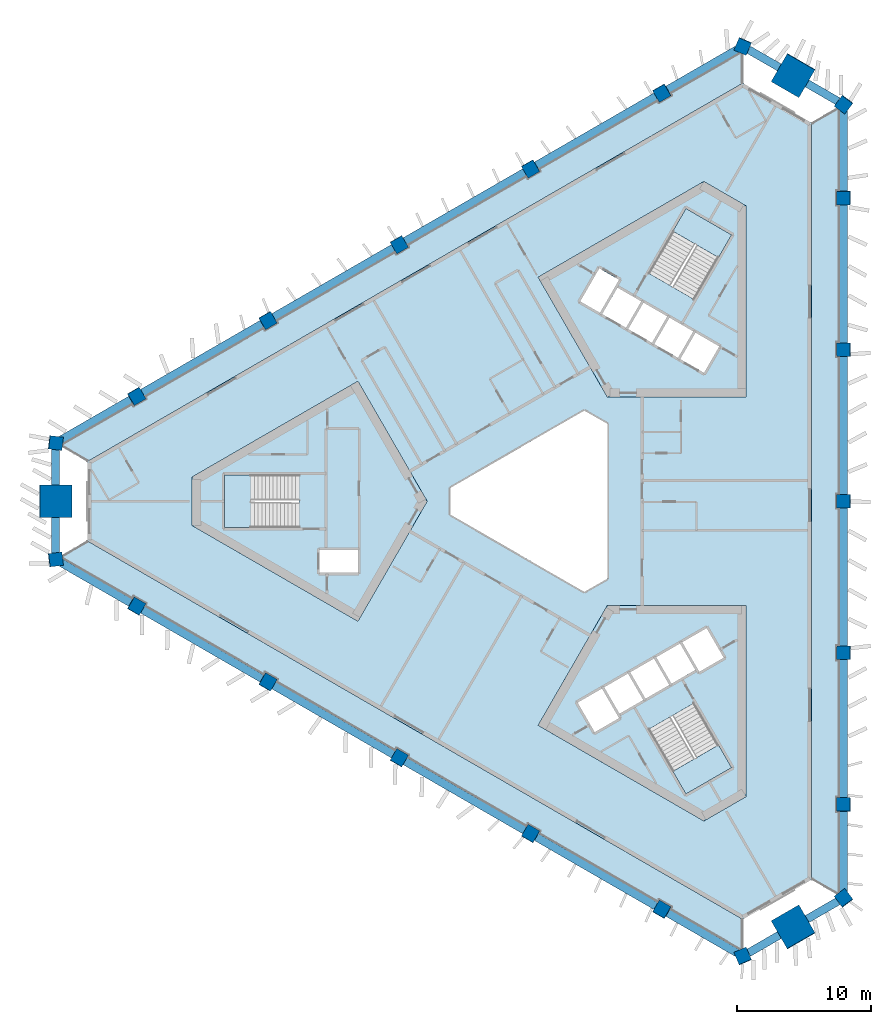
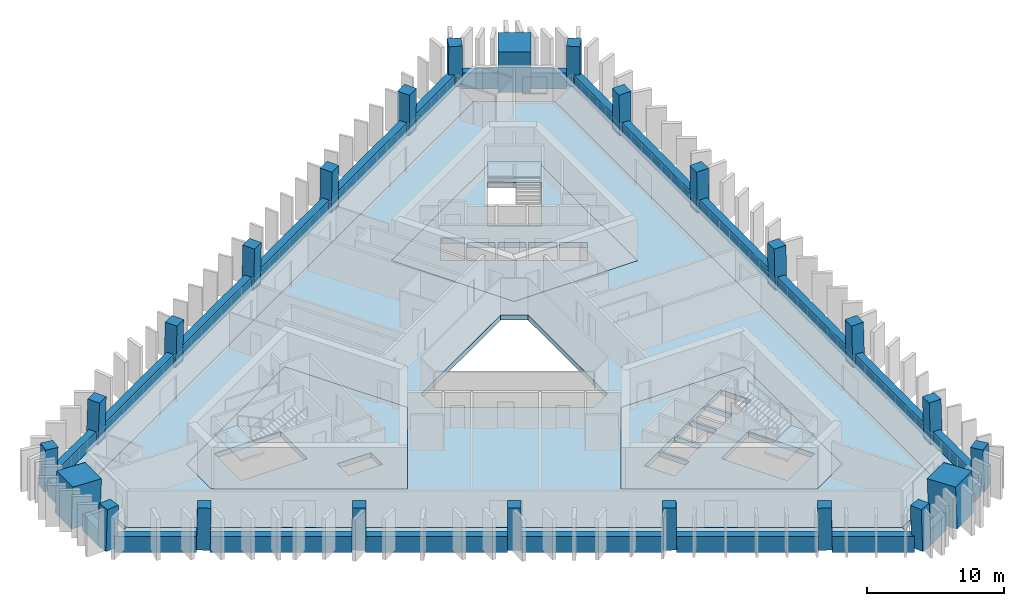
# One storey, part 1 of 10: 24 beams, 24 columns, 10 slabs, 3 elements without a shape of their own.
"""IFC4 building model written with IfcOpenShell, lengths in metres."""

from ifc_helpers import new_model, si_unit, direction, frame, origin, origin_2d, place, context, subcontext, project, spatial, polyline, rectangle, outline, extrude, material, layer, layer_set, material_profile, profile_set, type_object, element, aggregate, save


model = new_model("IFC4")

# Units and contexts
model_context = context("Model", 3, precision=1e-05, world=origin(), true_north=direction((0.0, 1.0)))
body_context = subcontext(model_context, "Body", "Model", "MODEL_VIEW")
ifc_project = project(units=[si_unit("LENGTHUNIT", "METRE"), si_unit("AREAUNIT", "SQUARE_METRE"), si_unit("VOLUMEUNIT", "CUBIC_METRE"), si_unit("PLANEANGLEUNIT", "RADIAN"), si_unit("MASSUNIT", "GRAM", prefix="KILO")], contexts=[model_context])

# Site, building, storey
site_placement = place(None, origin())
site = spatial("IfcSite", under=ifc_project, at=site_placement, CompositionType="ELEMENT")
building_placement = place(site_placement, origin())
building = spatial("IfcBuilding", under=site, at=building_placement, Name="Jabali Bay Hotel Tower and Convention Centre", CompositionType="ELEMENT")
storey_placement = place(building_placement, frame((0.0, 0.0, 121.60009765625)))
storey = spatial("IfcBuildingStorey", under=building, at=storey_placement, Name="L29", CompositionType="ELEMENT", Elevation=121.60009765625)

# Columns
ifc_material_1 = material(Name="Concrete C60", Category="concrete")
ifc_material_profile_1 = material_profile(ifc_material_1, rectangle(XDim=1.0, YDim=1.0, at=origin_2d()), Name="Frame column 1000")
ifc_profile_set_1 = profile_set([ifc_material_profile_1], Name="Concrete C60")
column_type_1 = type_object("IfcColumnType", Name="Frame column 1000", PredefinedType="COLUMN", material=ifc_profile_set_1)
column_1_placement = place(storey_placement, frame((83.581298828125, 110.589599609375, 0.0), z_axis=(-0.008376454378, -0.028163354484, 0.999568237028), x_axis=(0.865847772055, 0.49985224108, 0.021339463807)))
element("IfcColumn", 1, at=column_1_placement, inside=storey, type_object=column_type_1, Name="FC3 F1.1 L29", PredefinedType="COLUMN", context=body_context, shape_type="SweptSolid", body=[
    extrude(rectangle(XDim=1.0, YDim=1.0, at=origin_2d()), origin(), (0.0, 0.0, 1.0), 3.70166015625),
])
column_2_placement = place(storey_placement, frame((73.740478515625, 104.907958984375, 0.0), z_axis=(0.000857578916, -0.022824792675, 0.999739112668), x_axis=(0.866060219769, 0.499825848733, 0.01066848966)))
element("IfcColumn", 2, at=column_2_placement, inside=storey, type_object=column_type_1, Name="FC3 F1.2 L29", PredefinedType="COLUMN", context=body_context, shape_type="SweptSolid", body=[
    extrude(rectangle(XDim=1.0, YDim=1.0, at=origin_2d()), origin(), (0.0, 0.0, 1.0), 3.700927734375),
])
column_3_placement = place(storey_placement, frame((63.899658203125, 99.226318359375, 0.0), z_axis=(0.010093620709, -0.017482414954, 0.999796221231), x_axis=(0.866020200589, 0.50000901209, 8.5616e-08)))
element("IfcColumn", 3, at=column_3_placement, inside=storey, type_object=column_type_1, Name="FC3 F1.3 L29", PredefinedType="COLUMN", context=body_context, shape_type="SweptSolid", body=[
    extrude(rectangle(XDim=1.0, YDim=1.0, at=origin_2d()), origin(), (0.0, 0.0, 1.0), 3.70068359375),
])
column_4_placement = place(storey_placement, frame((54.058837890625, 93.544677734375, 0.0), z_axis=(0.019328516974, -0.012138044789, 0.999739504221), x_axis=(-0.500208848309, 0.865669585777, 0.020181088508)))
element("IfcColumn", 4, at=column_4_placement, inside=storey, type_object=column_type_1, Name="FC3 F1.4 L29", PredefinedType="COLUMN", context=body_context, shape_type="SweptSolid", body=[
    extrude(rectangle(XDim=1.0, YDim=1.0, at=origin_2d()), origin(), (0.0, 0.0, 1.0), 3.700927734375),
])
for number, where, z_axis, x_axis, name in (
    (5, (44.218017578125, 87.86328125, 0.0), (0.028559101991, -0.006859460986, 0.999568569678), (-0.498515218099, 0.866645785643, 0.020190580742), "FC3 F1.5 L29"),
    (6, (44.218017578125, 72.13671875, 0.0), (0.028559101991, 0.006859460986, 0.999568569678), (-0.866410384874, 0.498876768373, 0.021331079692), "FC3 F2.1 L29"),
):
    element("IfcColumn", number, at=place(storey_placement, frame(where, z_axis=z_axis, x_axis=x_axis)), inside=storey, type_object=column_type_1, Name=name, PredefinedType="COLUMN", context=body_context, shape_type="SweptSolid", body=[
        extrude(rectangle(XDim=1.0, YDim=1.0, at=origin_2d()), origin(), (0.0, 0.0, 1.0), 3.70166015625),
    ])
column_5_placement = place(storey_placement, frame((54.058837890625, 66.455322265625, 0.0), z_axis=(0.019328516974, 0.012138044789, 0.999739504221), x_axis=(-0.865689041461, 0.500468616527, 0.010660551878)))
element("IfcColumn", 7, at=column_5_placement, inside=storey, type_object=column_type_1, Name="FC3 F2.2 L29", PredefinedType="COLUMN", context=body_context, shape_type="SweptSolid", body=[
    extrude(rectangle(XDim=1.0, YDim=1.0, at=origin_2d()), origin(), (0.0, 0.0, 1.0), 3.700927734375),
])
column_6_placement = place(storey_placement, frame((63.899658203125, 60.773681640625, 0.0), z_axis=(0.010093620709, 0.017482414954, 0.999796221231), x_axis=(-0.499907122366, -0.865843723195, 0.020187025824)))
element("IfcColumn", 8, at=column_6_placement, inside=storey, type_object=column_type_1, Name="FC3 F2.3 L29", PredefinedType="COLUMN", context=body_context, shape_type="SweptSolid", body=[
    extrude(rectangle(XDim=1.0, YDim=1.0, at=origin_2d()), origin(), (0.0, 0.0, 1.0), 3.70068359375),
])
column_7_placement = place(storey_placement, frame((73.740478515625, 55.092041015625, 0.0), z_axis=(0.000857578916, 0.022824792675, 0.999739112668), x_axis=(-0.499938956565, -0.865825126557, 0.020196285069)))
element("IfcColumn", 9, at=column_7_placement, inside=storey, type_object=column_type_1, Name="FC3 F2.4 L29", PredefinedType="COLUMN", context=body_context, shape_type="SweptSolid", body=[
    extrude(rectangle(XDim=1.0, YDim=1.0, at=origin_2d()), origin(), (0.0, 0.0, 1.0), 3.700927734375),
])
for number, where, z_axis, x_axis, name in (
    (10, (83.581298828125, 49.410400390625, 0.0), (-0.008376454378, 0.028163354484, 0.999568237028), (-0.500237414274, -0.865652680093, 0.020198188241), "FC3 F2.5 L29"),
    (11, (97.20068359375, 57.273681640625, 0.0), (-0.020182659751, 0.021303918626, 0.999569308901), (0.000228267203, -0.99977282903, 0.021312865295), "FC3 F0.1 L29"),
):
    element("IfcColumn", number, at=place(storey_placement, frame(where, z_axis=z_axis, x_axis=x_axis)), inside=storey, type_object=column_type_1, Name=name, PredefinedType="COLUMN", context=body_context, shape_type="SweptSolid", body=[
        extrude(rectangle(XDim=1.0, YDim=1.0, at=origin_2d()), origin(), (0.0, 0.0, 1.0), 3.70166015625),
    ])
column_8_placement = place(storey_placement, frame((97.20068359375, 68.63671875, 0.0), z_axis=(-0.020186088539, 0.010686752756, 0.999739123544), x_axis=(-0.001012906877, -0.999942577175, 0.010668475618)))
element("IfcColumn", 12, at=column_8_placement, inside=storey, type_object=column_type_1, Name="FC3 F0.2 L29", PredefinedType="COLUMN", context=body_context, shape_type="SweptSolid", body=[
    extrude(rectangle(XDim=1.0, YDim=1.0, at=origin_2d()), origin(), (0.0, 0.0, 1.0), 3.700927734375),
])
column_9_placement = place(storey_placement, frame((97.20068359375, 80.0, 0.0), z_axis=(-0.020187241331, 0.0, 0.99979621688), x_axis=(0.0, -1.0, 0.0)))
element("IfcColumn", 13, at=column_9_placement, inside=storey, type_object=column_type_1, Name="FC3 F0.3 L29", PredefinedType="COLUMN", context=body_context, shape_type="SweptSolid", body=[
    extrude(rectangle(XDim=1.0, YDim=1.0, at=origin_2d()), origin(), (0.0, 0.0, 1.0), 3.70068359375),
])
column_10_placement = place(storey_placement, frame((97.20068359375, 91.36328125, 0.0), z_axis=(-0.020186088539, -0.010686752756, 0.999739123544), x_axis=(0.999795727061, 0.00079728784, 0.020195754082)))
element("IfcColumn", 14, at=column_10_placement, inside=storey, type_object=column_type_1, Name="FC3 F0.4 L29", PredefinedType="COLUMN", context=body_context, shape_type="SweptSolid", body=[
    extrude(rectangle(XDim=1.0, YDim=1.0, at=origin_2d()), origin(), (0.0, 0.0, 1.0), 3.700927734375),
])
column_11_placement = place(storey_placement, frame((97.20068359375, 102.726318359375, 0.0), z_axis=(-0.020182659751, -0.021303918626, 0.999569308901), x_axis=(0.999796283319, -0.000658319199, 0.020173211851)))
element("IfcColumn", 15, at=column_11_placement, inside=storey, type_object=column_type_1, Name="FC3 F0.5 L29", PredefinedType="COLUMN", context=body_context, shape_type="SweptSolid", body=[
    extrude(rectangle(XDim=1.0, YDim=1.0, at=origin_2d()), origin(), (0.0, 0.0, 1.0), 3.70166015625),
])
for number, where, z_axis, x_axis, name in (
    (16, (97.20068359375, 50.273681640625, 0.0), (-0.020178741915, 0.029015184452, 0.999375273581), (-0.801321793144, -0.598232371533, 0.001188899688), "FC3 V0 L29"),
    (17, (97.20068359375, 109.726318359375, 0.0), (-0.020178741915, -0.029015184452, 0.999375273581), (0.59789313611, 0.80079719575, 0.035322076264), "FC3 V1 L29"),
    (18, (89.643310546875, 114.089599609375, 0.0), (-0.015035141917, -0.031982648376, 0.99937533225), (0.918776977055, -0.394775193443, 0.001188728601), "FC3 V2 L29"),
    (19, (38.156005859375, 84.36328125, 0.0), (0.03521388716, -0.002967462401, 0.999375393092), (-0.992457087446, 0.117394715596, 0.035318696595), "FC3 V3 L29"),
    (20, (38.156005859375, 75.63671875, 0.0), (0.03521388716, 0.002967462401, 0.999375393092), (-0.11742619695, 0.99308090049, 0.001188845176), "FC3 V4 L29"),
    (21, (89.643310546875, 45.910400390625, 0.0), (-0.015035141917, 0.031982648376, 0.99937533225), (0.394490571422, -0.918220919412, 0.035320422052), "FC3 V5 L29"),
):
    element("IfcColumn", number, at=place(storey_placement, frame(where, z_axis=z_axis, x_axis=x_axis)), inside=storey, type_object=column_type_1, Name=name, PredefinedType="COLUMN", context=body_context, shape_type="SweptSolid", body=[
        extrude(rectangle(XDim=1.0, YDim=1.0, at=origin_2d()), origin(), (0.0, 0.0, 1.0), 3.7021484375),
    ])
ifc_material_2 = material(Name="Concrete C70", Category="concrete")
ifc_material_profile_2 = material_profile(ifc_material_2, rectangle(XDim=2.39990234375, YDim=2.39990234375, at=origin_2d()), Name="Mega column 2400")
ifc_profile_set_2 = profile_set([ifc_material_profile_2], Name="Concrete C70")
column_type_2 = type_object("IfcColumnType", Name="Mega column 2400", PredefinedType="COLUMN", material=ifc_profile_set_2)
for number, where, z_axis, x_axis, name in (
    (22, (93.422119140625, 111.907958984375, 0.0), (-0.017607001884, -0.030531992032, 0.999378702468), (0.499253360369, 0.865738917404, 0.035244986208), "MC3 M1 L29"),
    (23, (38.156005859375, 80.0, 0.0), (0.035214042205, 0.0, 0.999379793288), (0.0, 1.0, 0.0), "MC3 M0 L29"),
    (24, (93.422119140625, 48.092041015625, 0.0), (-0.017607001884, 0.030531992032, 0.999378702468), (-0.86627713559, -0.499563734027, 1.3287e-07), "MC3 M2 L29"),
):
    element("IfcColumn", number, at=place(storey_placement, frame(where, z_axis=z_axis, x_axis=x_axis)), inside=storey, type_object=column_type_2, Name=name, PredefinedType="COLUMN", context=body_context, shape_type="SweptSolid", body=[
        extrude(rectangle(XDim=2.39990234375, YDim=2.39990234375, at=origin_2d()), origin(), (0.0, 0.0, 1.0), 3.7021484375),
    ])

# Beams
ifc_material_profile_3 = material_profile(ifc_material_1, rectangle(XDim=0.60009765625, YDim=1.449951171875, at=origin_2d()), Name="Spandrel 600x1450")
ifc_profile_set_3 = profile_set([ifc_material_profile_3], Name="Concrete C60")
beam_type = type_object("IfcBeamType", Name="Spandrel 600x1450", PredefinedType="SPANDREL", material=ifc_profile_set_3)
beam_1_placement = place(storey_placement, frame((92.376220703125, 112.49658203125, 0.375), z_axis=(-0.866022170906, 0.500005599468, 0.0), x_axis=(-0.500005599468, -0.866022170906, 0.0)))
element("IfcBeam", 25, at=beam_1_placement, inside=storey, type_object=beam_type, Name="Spandrel M1-V2 L29", PredefinedType="SPANDREL", context=body_context, shape_type="SweptSolid", body=[
    extrude(rectangle(XDim=0.60009765625, YDim=1.449951171875, at=origin_2d()), origin(), (0.0, 0.0, 1.0), 2.662109375),
])
beam_2_placement = place(storey_placement, frame((89.204833984375, 113.82763671875, 0.375), z_axis=(-0.866024915075, -0.500000846469, 0.0), x_axis=(0.500000846469, -0.866024915075, 0.0)))
element("IfcBeam", 26, at=beam_2_placement, inside=storey, type_object=beam_type, Name="Spandrel V2-F1.1 L29", PredefinedType="SPANDREL", context=body_context, shape_type="SweptSolid", body=[
    extrude(rectangle(XDim=0.60009765625, YDim=1.449951171875, at=origin_2d()), origin(), (0.0, 0.0, 1.0), 5.9970703125),
])
beam_3_placement = place(storey_placement, frame((83.14501953125, 110.3291015625, 0.375), z_axis=(-0.866018392704, -0.500012143352, 0.0), x_axis=(0.500012143352, -0.866018392704, 0.0)))
element("IfcBeam", 27, at=beam_3_placement, inside=storey, type_object=beam_type, Name="Spandrel F1.1-F1.2 L29", PredefinedType="SPANDREL", context=body_context, shape_type="SweptSolid", body=[
    extrude(rectangle(XDim=0.60009765625, YDim=1.449951171875, at=origin_2d()), origin(), (0.0, 0.0, 1.0), 10.359130859375),
])
beam_4_placement = place(storey_placement, frame((73.307861328125, 104.6494140625, 0.375), z_axis=(-0.866024284732, -0.50000193825, 0.0), x_axis=(0.50000193825, -0.866024284732, 0.0)))
element("IfcBeam", 28, at=beam_4_placement, inside=storey, type_object=beam_type, Name="Spandrel F1.2-F1.3 L29", PredefinedType="SPANDREL", context=body_context, shape_type="SweptSolid", body=[
    extrude(rectangle(XDim=0.60009765625, YDim=1.449951171875, at=origin_2d()), origin(), (0.0, 0.0, 1.0), 10.359375),
])
for number, where, z_axis, x_axis, name in (
    (29, (63.470458984375, 98.9697265625, 0.375), (-0.8660344896, -0.499984262576, 0.0), (0.499984262576, -0.8660344896, 0.0), "Spandrel F1.3-F1.4 L29"),
    (30, (53.633056640625, 93.290283203125, 0.375), (-0.866018392704, -0.500012143352, 0.0), (0.500012143352, -0.866018392704, 0.0), "Spandrel F1.4-F1.5 L29"),
):
    element("IfcBeam", number, at=place(storey_placement, frame(where, z_axis=z_axis, x_axis=x_axis)), inside=storey, type_object=beam_type, Name=name, PredefinedType="SPANDREL", context=body_context, shape_type="SweptSolid", body=[
        extrude(rectangle(XDim=0.60009765625, YDim=1.449951171875, at=origin_2d()), origin(), (0.0, 0.0, 1.0), 10.359130859375),
    ])
beam_5_placement = place(storey_placement, frame((43.795654296875, 87.610595703125, 0.375), z_axis=(-0.866024915075, -0.500000846469, 0.0), x_axis=(0.500000846469, -0.866024915075, 0.0)))
element("IfcBeam", 31, at=beam_5_placement, inside=storey, type_object=beam_type, Name="Spandrel F1.5-V3 L29", PredefinedType="SPANDREL", context=body_context, shape_type="SweptSolid", body=[
    extrude(rectangle(XDim=0.60009765625, YDim=1.449951171875, at=origin_2d()), origin(), (0.0, 0.0, 1.0), 5.9970703125),
])
for number, where, z_axis, x_axis, name in (
    (32, (38.169189453125, 83.862060546875, 0.375), (0.0, -1.0, 0.0), (1.0, 0.0, 0.0), "Spandrel V3-M0 L29"),
    (33, (38.169189453125, 78.800048828125, 0.375), (0.0, -1.0, 0.0), (1.0, 0.0, 0.0), "Spandrel M0-V4 L29"),
):
    element("IfcBeam", number, at=place(storey_placement, frame(where, z_axis=z_axis, x_axis=x_axis)), inside=storey, type_object=beam_type, Name=name, PredefinedType="SPANDREL", context=body_context, shape_type="SweptSolid", body=[
        extrude(rectangle(XDim=0.60009765625, YDim=1.449951171875, at=origin_2d()), origin(), (0.0, 0.0, 1.0), 2.662109375),
    ])
beam_6_placement = place(storey_placement, frame((38.60205078125, 75.387939453125, 0.375), z_axis=(0.866024915075, -0.500000846469, 0.0), x_axis=(0.500000846469, 0.866024915075, 0.0)))
element("IfcBeam", 34, at=beam_6_placement, inside=storey, type_object=beam_type, Name="Spandrel V4-F2.1 L29", PredefinedType="SPANDREL", context=body_context, shape_type="SweptSolid", body=[
    extrude(rectangle(XDim=0.60009765625, YDim=1.449951171875, at=origin_2d()), origin(), (0.0, 0.0, 1.0), 5.9970703125),
])
for number, where, z_axis, x_axis, name in (
    (35, (44.661865234375, 71.889404296875, 0.375), (0.866018392704, -0.500012143352, 0.0), (0.500012143352, 0.866018392704, 0.0), "Spandrel F2.1-F2.2 L29"),
    (36, (54.4990234375, 66.209716796875, 0.375), (0.8660344896, -0.499984262576, 0.0), (0.499984262576, 0.8660344896, 0.0), "Spandrel F2.2-F2.3 L29"),
):
    element("IfcBeam", number, at=place(storey_placement, frame(where, z_axis=z_axis, x_axis=x_axis)), inside=storey, type_object=beam_type, Name=name, PredefinedType="SPANDREL", context=body_context, shape_type="SweptSolid", body=[
        extrude(rectangle(XDim=0.60009765625, YDim=1.449951171875, at=origin_2d()), origin(), (0.0, 0.0, 1.0), 10.359130859375),
    ])
beam_7_placement = place(storey_placement, frame((64.33642578125, 60.5302734375, 0.375), z_axis=(0.866024284732, -0.50000193825, 0.0), x_axis=(0.50000193825, 0.866024284732, 0.0)))
element("IfcBeam", 37, at=beam_7_placement, inside=storey, type_object=beam_type, Name="Spandrel F2.3-F2.4 L29", PredefinedType="SPANDREL", context=body_context, shape_type="SweptSolid", body=[
    extrude(rectangle(XDim=0.60009765625, YDim=1.449951171875, at=origin_2d()), origin(), (0.0, 0.0, 1.0), 10.359375),
])
beam_8_placement = place(storey_placement, frame((74.173828125, 54.8505859375, 0.375), z_axis=(0.866018392704, -0.500012143352, 0.0), x_axis=(0.500012143352, 0.866018392704, 0.0)))
element("IfcBeam", 38, at=beam_8_placement, inside=storey, type_object=beam_type, Name="Spandrel F2.4-F2.5 L29", PredefinedType="SPANDREL", context=body_context, shape_type="SweptSolid", body=[
    extrude(rectangle(XDim=0.60009765625, YDim=1.449951171875, at=origin_2d()), origin(), (0.0, 0.0, 1.0), 10.359130859375),
])
beam_9_placement = place(storey_placement, frame((84.01123046875, 49.1708984375, 0.375), z_axis=(0.866024915075, -0.500000846469, 0.0), x_axis=(0.500000846469, 0.866024915075, 0.0)))
element("IfcBeam", 39, at=beam_9_placement, inside=storey, type_object=beam_type, Name="Spandrel F2.5-V5 L29", PredefinedType="SPANDREL", context=body_context, shape_type="SweptSolid", body=[
    extrude(rectangle(XDim=0.60009765625, YDim=1.449951171875, at=origin_2d()), origin(), (0.0, 0.0, 1.0), 5.9970703125),
])
for number, where, z_axis, x_axis, name in (
    (40, (90.07080078125, 46.17236328125, 0.375), (0.866022170906, 0.500005599468, 0.0), (-0.500005599468, 0.866022170906, 0.0), "Spandrel V5-M2 L29"),
    (41, (94.45458984375, 48.70361328125, 0.375), (0.866022170906, 0.500005599468, 0.0), (-0.500005599468, 0.866022170906, 0.0), "Spandrel M2-V0 L29"),
):
    element("IfcBeam", number, at=place(storey_placement, frame(where, z_axis=z_axis, x_axis=x_axis)), inside=storey, type_object=beam_type, Name=name, PredefinedType="SPANDREL", context=body_context, shape_type="SweptSolid", body=[
        extrude(rectangle(XDim=0.60009765625, YDim=1.449951171875, at=origin_2d()), origin(), (0.0, 0.0, 1.0), 2.662109375),
    ])
beam_10_placement = place(storey_placement, frame((97.193115234375, 50.78466796875, 0.375), z_axis=(0.0, 1.0, 0.0), x_axis=(-1.0, 0.0, 0.0)))
element("IfcBeam", 42, at=beam_10_placement, inside=storey, type_object=beam_type, Name="Spandrel V0-F0.1 L29", PredefinedType="SPANDREL", context=body_context, shape_type="SweptSolid", body=[
    extrude(rectangle(XDim=0.60009765625, YDim=1.449951171875, at=origin_2d()), origin(), (0.0, 0.0, 1.0), 5.9970703125),
])
for number, where, z_axis, x_axis, name in (
    (43, (97.193115234375, 57.78173828125, 0.375), (0.0, 1.0, 0.0), (-1.0, 0.0, 0.0), "Spandrel F0.1-F0.2 L29"),
    (44, (97.193115234375, 69.140869140625, 0.375), (0.0, 1.0, 0.0), (-1.0, 0.0, 0.0), "Spandrel F0.2-F0.3 L29"),
    (45, (97.193115234375, 80.5, 0.375), (0.0, 1.0, 0.0), (-1.0, 0.0, 0.0), "Spandrel F0.3-F0.4 L29"),
    (46, (97.193115234375, 91.859130859375, 0.375), (0.0, 1.0, 0.0), (-1.0, 0.0, 0.0), "Spandrel F0.4-F0.5 L29"),
):
    element("IfcBeam", number, at=place(storey_placement, frame(where, z_axis=z_axis, x_axis=x_axis)), inside=storey, type_object=beam_type, Name=name, PredefinedType="SPANDREL", context=body_context, shape_type="SweptSolid", body=[
        extrude(rectangle(XDim=0.60009765625, YDim=1.449951171875, at=origin_2d()), origin(), (0.0, 0.0, 1.0), 10.359130859375),
    ])
beam_11_placement = place(storey_placement, frame((97.193115234375, 103.21826171875, 0.375), z_axis=(0.0, 1.0, 0.0), x_axis=(-1.0, 0.0, 0.0)))
element("IfcBeam", 47, at=beam_11_placement, inside=storey, type_object=beam_type, Name="Spandrel F0.5-V1 L29", PredefinedType="SPANDREL", context=body_context, shape_type="SweptSolid", body=[
    extrude(rectangle(XDim=0.60009765625, YDim=1.449951171875, at=origin_2d()), origin(), (0.0, 0.0, 1.0), 5.9970703125),
])
beam_12_placement = place(storey_placement, frame((96.760009765625, 109.96533203125, 0.375), z_axis=(-0.866022170906, 0.500005599468, 0.0), x_axis=(-0.500005599468, -0.866022170906, 0.0)))
element("IfcBeam", 48, at=beam_12_placement, inside=storey, type_object=beam_type, Name="Spandrel V1-M1 L29", PredefinedType="SPANDREL", context=body_context, shape_type="SweptSolid", body=[
    extrude(rectangle(XDim=0.60009765625, YDim=1.449951171875, at=origin_2d()), origin(), (0.0, 0.0, 1.0), 2.662109375),
])

# Slabs
ifc_material_3 = material(Name="Concrete C40", Category="concrete")
ifc_layer_1 = layer(ifc_material_3, 0.449951171875)
ifc_layer_set_1 = layer_set([ifc_layer_1], Name="Concrete C40")
slab_type_1 = type_object("IfcSlabType", Name="Core floor slab 450", PredefinedType="FLOOR", material=ifc_layer_set_1)
slab_1_placement = place(storey_placement, frame((0.0, 0.0, -0.4501953125)))
element("IfcSlab", 49, at=slab_1_placement, inside=storey, type_object=slab_type_1, Name="Core floor slab 1 L29", PredefinedType="FLOOR", context=body_context, shape_type="SweptSolid", body=[
    extrude(outline(polyline([(66.0, 80.0), (60.81005859375, 88.9892578125), (48.39697265625, 81.82275390625), (48.39697265625, 78.17724609375), (60.81005859375, 71.0107421875), (66.0, 80.0)]), holes=[polyline([(60.800048828125, 76.35009765625), (57.949951171875, 76.35009765625), (57.949951171875, 74.64990234375), (60.800048828125, 74.64990234375), (60.800048828125, 76.35009765625)]), polyline([(50.820068359375, 81.97509765625), (50.820068359375, 78.02490234375), (56.409912109375, 78.02490234375), (56.409912109375, 81.97509765625), (50.820068359375, 81.97509765625)])]), origin(), (0.0, 0.0, 1.0), 0.4501953125),
])
slab_2_placement = place(storey_placement, frame((0.0, 0.0, -0.4501953125)))
element("IfcSlab", 50, at=slab_2_placement, inside=storey, type_object=slab_type_1, Name="Core floor slab 2 L29", PredefinedType="FLOOR", context=body_context, shape_type="SweptSolid", body=[
    extrude(outline(polyline([(79.5, 87.794189453125), (89.8798828125, 87.794189453125), (89.8798828125, 102.127685546875), (86.72314453125, 103.9501953125), (74.31005859375, 96.78369140625), (79.5, 87.794189453125)]), holes=[polyline([(84.957763671875, 90.6474609375), (86.733154296875, 89.62255859375), (87.873291015625, 91.59716796875), (86.097900390625, 92.6220703125), (84.957763671875, 90.6474609375)]), polyline([(84.1494140625, 93.7470703125), (83.00927734375, 91.7724609375), (84.78466796875, 90.74755859375), (85.924560546875, 92.72216796875), (84.1494140625, 93.7470703125)]), polyline([(82.20068359375, 94.8720703125), (81.060791015625, 92.8974609375), (82.836181640625, 91.87255859375), (83.97607421875, 93.84716796875), (82.20068359375, 94.8720703125)]), polyline([(79.1123046875, 94.0224609375), (80.887451171875, 92.99755859375), (82.027587890625, 94.97216796875), (80.252197265625, 95.9970703125), (79.1123046875, 94.0224609375)]), polyline([(78.891845703125, 97.440673828125), (77.466796875, 94.97265625), (78.93896484375, 94.12255859375), (80.364013671875, 96.5908203125), (78.891845703125, 97.440673828125)]), polyline([(82.584716796875, 97.0869140625), (86.00537109375, 95.11181640625), (88.80029296875, 99.952880859375), (85.379638671875, 101.927978515625), (82.584716796875, 97.0869140625)])]), origin(), (0.0, 0.0, 1.0), 0.4501953125),
])
slab_3_placement = place(storey_placement, frame((0.0, 0.0, -0.4501953125)))
element("IfcSlab", 51, at=slab_3_placement, inside=storey, type_object=slab_type_1, Name="Core floor slab 3 L29", PredefinedType="FLOOR", context=body_context, shape_type="SweptSolid", body=[
    extrude(outline(polyline([(79.5, 72.205810546875), (74.31005859375, 63.21630859375), (86.72314453125, 56.0498046875), (89.8798828125, 57.872314453125), (89.8798828125, 72.205810546875), (79.5, 72.205810546875)]), holes=[polyline([(82.584716796875, 62.9130859375), (85.379638671875, 58.072021484375), (88.80029296875, 60.047119140625), (86.00537109375, 64.88818359375), (82.584716796875, 62.9130859375)]), polyline([(80.365478515625, 63.756591796875), (79.090576171875, 65.96484375), (77.27197265625, 64.9150390625), (78.546875, 62.70654296875), (80.365478515625, 63.756591796875)]), polyline([(82.17919921875, 65.115478515625), (81.0390625, 67.08984375), (79.263671875, 66.06494140625), (80.40380859375, 64.09033203125), (82.17919921875, 65.115478515625)]), polyline([(82.98779296875, 68.21484375), (81.21240234375, 67.18994140625), (82.352294921875, 65.21533203125), (84.127685546875, 66.240478515625), (82.98779296875, 68.21484375)]), polyline([(86.076171875, 67.365478515625), (84.936279296875, 69.33984375), (83.160888671875, 68.31494140625), (84.30078125, 66.34033203125), (86.076171875, 67.365478515625)]), polyline([(88.203125, 68.281494140625), (86.927978515625, 70.489990234375), (85.109375, 69.43994140625), (86.384521484375, 67.231689453125), (88.203125, 68.281494140625)])]), origin(), (0.0, 0.0, 1.0), 0.4501953125),
])
ifc_layer_2 = layer(ifc_material_3, 0.199951171875)
ifc_layer_set_2 = layer_set([ifc_layer_2], Name="Concrete C40")
slab_type_2 = type_object("IfcSlabType", Name="Loggia slab 200", PredefinedType="FLOOR", material=ifc_layer_set_2)
slab_4_placement = place(storey_placement, frame((0.0, 0.0, -0.2001953125)))
element("IfcSlab", 52, at=slab_4_placement, inside=storey, type_object=slab_type_2, Name="Loggia slab east face L29", PredefinedType="FLOOR", context=body_context, shape_type="SweptSolid", body=[
    extrude(outline(polyline([(94.80078125, 108.340576171875), (96.7294921875, 109.4541015625), (96.900634765625, 109.326416015625), (96.900634765625, 103.226318359375), (96.70068359375, 103.226318359375), (96.70068359375, 102.226318359375), (96.900634765625, 102.226318359375), (96.900634765625, 91.86328125), (96.70068359375, 91.86328125), (96.70068359375, 90.86328125), (96.900634765625, 90.86328125), (96.900634765625, 80.5), (96.70068359375, 80.5), (96.70068359375, 79.5), (96.900634765625, 79.5), (96.900634765625, 69.13671875), (96.70068359375, 69.13671875), (96.70068359375, 68.13671875), (96.900634765625, 68.13671875), (96.900634765625, 57.773681640625), (96.70068359375, 57.773681640625), (96.70068359375, 56.773681640625), (96.900634765625, 56.773681640625), (96.900634765625, 50.673583984375), (96.7294921875, 50.5458984375), (94.80078125, 51.659423828125), (94.80078125, 108.340576171875)])), origin(), (0.0, 0.0, 1.0), 0.2001953125),
])
slab_5_placement = place(storey_placement, frame((0.0, 0.0, -0.2001953125)))
element("IfcSlab", 53, at=slab_5_placement, inside=storey, type_object=slab_type_2, Name="Loggia slab north-west face L29", PredefinedType="FLOOR", context=body_context, shape_type="SweptSolid", body=[
    extrude(outline(polyline([(40.555908203125, 82.9775390625), (38.627197265625, 84.091064453125), (38.65234375, 84.303466796875), (43.93505859375, 87.353271484375), (44.03515625, 87.18017578125), (44.901123046875, 87.68017578125), (44.801025390625, 87.853271484375), (53.77587890625, 93.034912109375), (53.875732421875, 92.86181640625), (54.741943359375, 93.36181640625), (54.641845703125, 93.534912109375), (63.61669921875, 98.716552734375), (63.716552734375, 98.54345703125), (64.582763671875, 99.04345703125), (64.482666015625, 99.216552734375), (73.45751953125, 104.398193359375), (73.557373046875, 104.224853515625), (74.423583984375, 104.724853515625), (74.323486328125, 104.898193359375), (83.29833984375, 110.079833984375), (83.398193359375, 109.906494140625), (84.26416015625, 110.406494140625), (84.164306640625, 110.579833984375), (89.447021484375, 113.629638671875), (89.643310546875, 113.54541015625), (89.643310546875, 111.318115234375), (40.555908203125, 82.9775390625)])), origin(), (0.0, 0.0, 1.0), 0.2001953125),
])
slab_6_placement = place(storey_placement, frame((0.0, 0.0, -0.2001953125)))
element("IfcSlab", 54, at=slab_6_placement, inside=storey, type_object=slab_type_2, Name="Loggia slab south-west face L29", PredefinedType="FLOOR", context=body_context, shape_type="SweptSolid", body=[
    extrude(outline(polyline([(89.643310546875, 48.681884765625), (89.643310546875, 46.45458984375), (89.447021484375, 46.370361328125), (84.164306640625, 49.420166015625), (84.26416015625, 49.593505859375), (83.398193359375, 50.093505859375), (83.29833984375, 49.920166015625), (74.323486328125, 55.101806640625), (74.423583984375, 55.275146484375), (73.557373046875, 55.775146484375), (73.45751953125, 55.601806640625), (64.482666015625, 60.783447265625), (64.582763671875, 60.95654296875), (63.716552734375, 61.45654296875), (63.61669921875, 61.283447265625), (54.641845703125, 66.465087890625), (54.741943359375, 66.63818359375), (53.875732421875, 67.13818359375), (53.77587890625, 66.965087890625), (44.801025390625, 72.146728515625), (44.901123046875, 72.31982421875), (44.03515625, 72.81982421875), (43.93505859375, 72.646728515625), (38.65234375, 75.696533203125), (38.627197265625, 75.908935546875), (40.555908203125, 77.0224609375), (89.643310546875, 48.681884765625)])), origin(), (0.0, 0.0, 1.0), 0.2001953125),
])
ifc_layer_3 = layer(ifc_material_3, 0.449951171875)
ifc_layer_set_3 = layer_set([ifc_layer_3], Name="Concrete C40")
slab_type_3 = type_object("IfcSlabType", Name="Post-tensioned flat slab 450", PredefinedType="FLOOR", material=ifc_layer_set_3)
slab_7_placement = place(storey_placement, frame((0.0, 0.0, -0.4501953125)))
element("IfcSlab", 55, at=slab_7_placement, inside=storey, type_object=slab_type_3, Name="Floor slab L29", PredefinedType="FLOOR", context=body_context, shape_type="SweptSolid", body=[
    extrude(outline(polyline([(89.643310546875, 111.318115234375), (94.80078125, 108.340576171875), (94.80078125, 51.659423828125), (89.643310546875, 48.681884765625), (40.555908203125, 77.0224609375), (40.555908203125, 82.9775390625), (89.643310546875, 111.318115234375)]), holes=[polyline([(67.73193359375, 79.0), (77.76806640625, 73.205810546875), (79.5, 74.205810546875), (79.5, 85.794189453125), (77.76806640625, 86.794189453125), (67.73193359375, 81.0), (67.73193359375, 79.0)]), polyline([(48.39697265625, 78.17724609375), (60.81005859375, 71.0107421875), (66.0, 80.0), (60.81005859375, 88.9892578125), (48.39697265625, 81.82275390625), (48.39697265625, 78.17724609375)]), polyline([(89.8798828125, 102.127685546875), (86.72314453125, 103.9501953125), (74.31005859375, 96.78369140625), (79.5, 87.794189453125), (89.8798828125, 87.794189453125), (89.8798828125, 102.127685546875)]), polyline([(74.31005859375, 63.21630859375), (86.72314453125, 56.0498046875), (89.8798828125, 57.872314453125), (89.8798828125, 72.205810546875), (79.5, 72.205810546875), (74.31005859375, 63.21630859375)])]), origin(), (0.0, 0.0, 1.0), 0.4501953125),
])

# Stair, slab
stair_type = type_object("IfcStairType", Name="Exit stair 1900", PredefinedType="HALF_TURN_STAIR", material=ifc_material_3)
stair_1_placement = place(storey_placement, origin())
stair_1 = element("IfcStair", 56, at=stair_1_placement, inside=storey, type_object=stair_type, Name="L29 Exit Stair 1", PredefinedType="HALF_TURN_STAIR")
ifc_layer_4 = layer(ifc_material_3, 0.199951171875)
ifc_layer_set_4 = layer_set([ifc_layer_4], Name="Concrete C40")
slab_type_4 = type_object("IfcSlabType", Name="Stair landing 200", PredefinedType="LANDING", material=ifc_layer_set_4)
slab_8_placement = place(storey_placement, frame((0.0, 0.0, 1.64990234375)))
slab_8 = element("IfcSlab", 57, at=slab_8_placement, type_object=slab_type_4, Name="ST1 landing 1", PredefinedType="LANDING", context=body_context, shape_type="SweptSolid", body=[
    extrude(outline(polyline([(52.782958984375, 81.97509765625), (50.820068359375, 81.97509765625), (50.820068359375, 78.02490234375), (52.782958984375, 78.02490234375), (52.782958984375, 81.97509765625)])), origin(), (0.0, 0.0, 1.0), 0.199951171875),
])
aggregate(stair_1, [slab_8])

stair_2_placement = place(storey_placement, origin())
stair_2 = element("IfcStair", 58, at=stair_2_placement, inside=storey, type_object=stair_type, Name="L29 Exit Stair 2", PredefinedType="HALF_TURN_STAIR")
slab_9_placement = place(storey_placement, frame((0.0, 0.0, 1.64990234375)))
slab_9 = element("IfcSlab", 59, at=slab_9_placement, type_object=slab_type_4, Name="ST2 landing 1", PredefinedType="LANDING", context=body_context, shape_type="SweptSolid", body=[
    extrude(outline(polyline([(87.81884765625, 98.2529296875), (88.80029296875, 99.952880859375), (85.379638671875, 101.927978515625), (84.398193359375, 100.22802734375), (87.81884765625, 98.2529296875)])), origin(), (0.0, 0.0, 1.0), 0.199951171875),
])
aggregate(stair_2, [slab_9])

stair_3_placement = place(storey_placement, origin())
stair_3 = element("IfcStair", 60, at=stair_3_placement, inside=storey, type_object=stair_type, Name="L29 Exit Stair 3", PredefinedType="HALF_TURN_STAIR")
slab_10_placement = place(storey_placement, frame((0.0, 0.0, 1.64990234375)))
slab_10 = element("IfcSlab", 61, at=slab_10_placement, type_object=slab_type_4, Name="ST3 landing 1", PredefinedType="LANDING", context=body_context, shape_type="SweptSolid", body=[
    extrude(outline(polyline([(84.398193359375, 59.77197265625), (85.379638671875, 58.072021484375), (88.80029296875, 60.047119140625), (87.81884765625, 61.7470703125), (84.398193359375, 59.77197265625)])), origin(), (0.0, 0.0, 1.0), 0.199951171875),
])
aggregate(stair_3, [slab_10])

save(model, "model.ifc")
